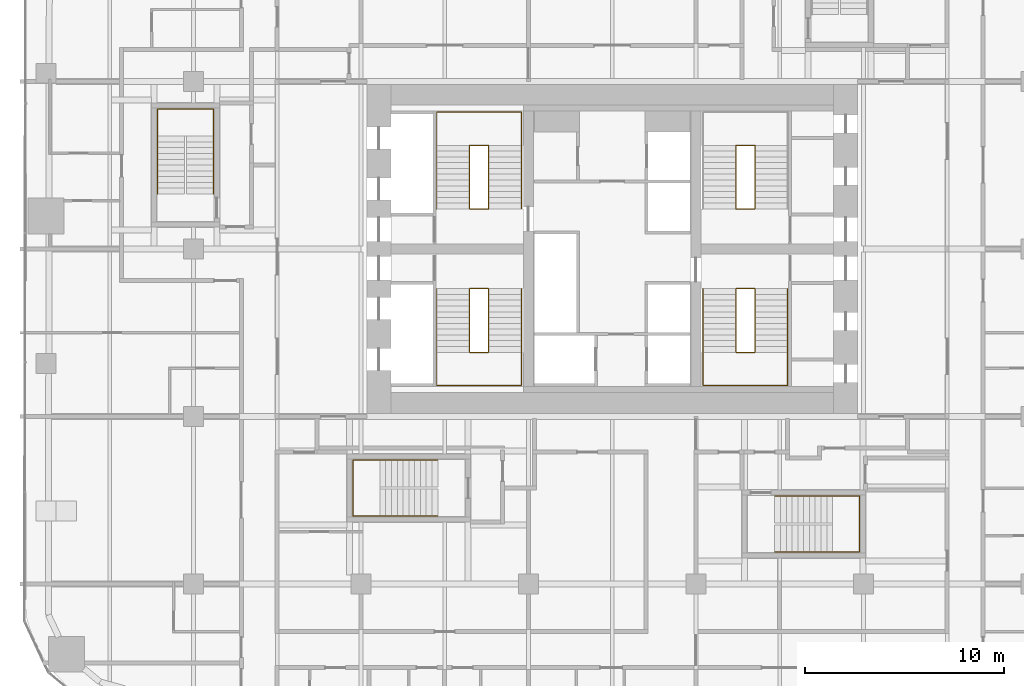
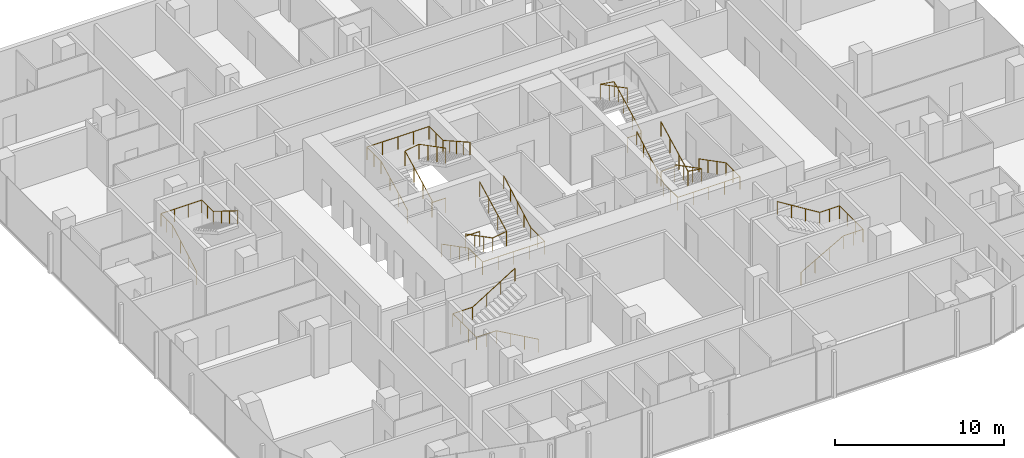
# One storey, part 26 of 27: 10 railings.
"""IFC4 building model written with IfcOpenShell, lengths in metres."""

from ifc_helpers import new_model, si_unit, direction, frame, origin, origin_2d, place, context, subcontext, project, spatial, circle, extrude, material, type_object, element, save


model = new_model("IFC4")

# Units and contexts
model_context = context("Model", 3, precision=1e-05, world=origin(), true_north=direction((0.0, 1.0)))
body_context = subcontext(model_context, "Body", "Model", "MODEL_VIEW")
ifc_project = project(units=[si_unit("LENGTHUNIT", "METRE"), si_unit("AREAUNIT", "SQUARE_METRE"), si_unit("VOLUMEUNIT", "CUBIC_METRE"), si_unit("PLANEANGLEUNIT", "RADIAN"), si_unit("MASSUNIT", "GRAM", prefix="KILO")], contexts=[model_context])

# Site, building, storey
site_placement = place(None, origin())
site = spatial("IfcSite", under=ifc_project, at=site_placement, CompositionType="ELEMENT")
building_placement = place(site_placement, origin())
building = spatial("IfcBuilding", under=site, at=building_placement, Name="Marenta Gate Hotel Tower", CompositionType="ELEMENT")
storey_placement = place(building_placement, frame((0.0, 0.0, 36.5)))
storey = spatial("IfcBuildingStorey", under=building, at=storey_placement, Name="L06", CompositionType="ELEMENT", Elevation=36.5)

# Railings
ifc_material_1 = material(Name="Stainless steel", Category="steel")
railing_type_1 = type_object("IfcRailingType", Name="Core stair handrail 950", PredefinedType="HANDRAIL", material=ifc_material_1)
railing_1_placement = place(storey_placement, frame((-8.800048828125, 6.39990234375, 0.14990234375)))
element("IfcRailing", 1, at=railing_1_placement, inside=storey, type_object=railing_type_1, Name="HR-950 L06-KR-ST1-1", PredefinedType="HANDRAIL", context=body_context, shape_type="SweptSolid", body=[
    extrude(circle(Radius=0.02392578125, at=origin_2d()), frame((0.0, 0.0, 0.92578125), z_axis=(0.0, -0.888197555067, 0.459461753765), x_axis=(1.0, 0.0, 0.0)), (0.0, 0.0, 1.0), 3.591552734375),
    extrude(circle(Radius=0.02392578125, at=origin_2d()), frame((0.0, -3.18994140625, 2.576171875), z_axis=(0.0, -1.0, 0.0), x_axis=(1.0, 0.0, 0.0)), (0.0, 0.0, 1.0), 1.659912109375),
    extrude(circle(Radius=0.02392578125, at=origin_2d()), frame((0.0, -4.849853515625, 2.576171875), z_axis=(1.0, 0.0, 0.0), x_axis=(0.0, 1.0, 0.0)), (0.0, 0.0, 1.0), 4.25),
    extrude(circle(Radius=0.02392578125, at=origin_2d()), frame((4.25, -4.849853515625, 2.576171875), z_axis=(0.0, 1.0, 0.0), x_axis=(-1.0, 0.0, 0.0)), (0.0, 0.0, 1.0), 1.659912109375),
    extrude(circle(Radius=0.02392578125, at=origin_2d()), frame((4.25, -3.18994140625, 2.576171875), z_axis=(0.0, 0.87090897868, 0.491444351738), x_axis=(-1.0, 0.0, 0.0)), (0.0, 0.0, 1.0), 3.662841796875),
    extrude(circle(Radius=0.02099609375, at=origin_2d()), origin(), (0.0, 0.0, 1.0), 0.90185546875),
    extrude(circle(Radius=0.02099609375, at=origin_2d()), frame((0.0, -1.063232421875, 0.550048828125)), (0.0, 0.0, 1.0), 0.90185546875),
    extrude(circle(Radius=0.02099609375, at=origin_2d()), frame((0.0, -2.126708984375, 1.10009765625)), (0.0, 0.0, 1.0), 0.90185546875),
    extrude(circle(Radius=0.02099609375, at=origin_2d()), frame((0.0, -3.18994140625, 1.650146484375)), (0.0, 0.0, 1.0), 0.90185546875),
    extrude(circle(Radius=0.02099609375, at=origin_2d()), frame((0.0, -4.02001953125, 1.650146484375)), (0.0, 0.0, 1.0), 0.90185546875),
    extrude(circle(Radius=0.02099609375, at=origin_2d()), frame((0.0, -4.849853515625, 1.650146484375)), (0.0, 0.0, 1.0), 0.90185546875),
    extrude(circle(Radius=0.02099609375, at=origin_2d()), frame((1.0625, -4.849853515625, 1.650146484375)), (0.0, 0.0, 1.0), 0.90185546875),
    extrude(circle(Radius=0.02099609375, at=origin_2d()), frame((2.125, -4.849853515625, 1.650146484375)), (0.0, 0.0, 1.0), 0.90185546875),
    extrude(circle(Radius=0.02099609375, at=origin_2d()), frame((3.1875, -4.849853515625, 1.650146484375)), (0.0, 0.0, 1.0), 0.90185546875),
    extrude(circle(Radius=0.02099609375, at=origin_2d()), frame((4.25, -4.849853515625, 1.650146484375)), (0.0, 0.0, 1.0), 0.90185546875),
    extrude(circle(Radius=0.02099609375, at=origin_2d()), frame((4.25, -4.02001953125, 1.650146484375)), (0.0, 0.0, 1.0), 0.90185546875),
    extrude(circle(Radius=0.02099609375, at=origin_2d()), frame((4.25, -3.18994140625, 1.650146484375)), (0.0, 0.0, 1.0), 0.90185546875),
    extrude(circle(Radius=0.02099609375, at=origin_2d()), frame((4.25, -2.392578125, 2.10009765625)), (0.0, 0.0, 1.0), 0.90185546875),
    extrude(circle(Radius=0.02099609375, at=origin_2d()), frame((4.25, -1.594970703125, 2.55029296875)), (0.0, 0.0, 1.0), 0.90185546875),
    extrude(circle(Radius=0.02099609375, at=origin_2d()), frame((4.25, -0.79736328125, 3.000244140625)), (0.0, 0.0, 1.0), 0.90185546875),
    extrude(circle(Radius=0.02099609375, at=origin_2d()), frame((4.25, 0.0, 3.4501953125)), (0.0, 0.0, 1.0), 0.90185546875),
])
railing_2_placement = place(storey_placement, frame((-8.800048828125, 10.39990234375, 0.14990234375)))
element("IfcRailing", 2, at=railing_2_placement, inside=storey, type_object=railing_type_1, Name="HR-950 L06-KR-ST2-1", PredefinedType="HANDRAIL", context=body_context, shape_type="SweptSolid", body=[
    extrude(circle(Radius=0.02392578125, at=origin_2d()), frame((0.0, 0.0, 0.92578125), z_axis=(0.0, 0.888211904222, 0.459434013977), x_axis=(-1.0, 0.0, 0.0)), (0.0, 0.0, 1.0), 3.591796875),
    extrude(circle(Radius=0.02392578125, at=origin_2d()), frame((0.0, 3.190185546875, 2.576171875), z_axis=(0.0, 1.0, 0.0), x_axis=(-1.0, 0.0, 0.0)), (0.0, 0.0, 1.0), 1.659912109375),
    extrude(circle(Radius=0.02392578125, at=origin_2d()), frame((0.0, 4.85009765625, 2.576171875), z_axis=(1.0, 0.0, 0.0), x_axis=(0.0, 1.0, 0.0)), (0.0, 0.0, 1.0), 4.25),
    extrude(circle(Radius=0.02392578125, at=origin_2d()), frame((4.25, 4.85009765625, 2.576171875), z_axis=(0.0, -1.0, 0.0), x_axis=(1.0, 0.0, 0.0)), (0.0, 0.0, 1.0), 1.659912109375),
    extrude(circle(Radius=0.02392578125, at=origin_2d()), frame((4.25, 3.190185546875, 2.576171875), z_axis=(0.0, -0.870925075533, 0.491415824742), x_axis=(1.0, 0.0, 0.0)), (0.0, 0.0, 1.0), 3.6630859375),
    extrude(circle(Radius=0.02099609375, at=origin_2d()), origin(), (0.0, 0.0, 1.0), 0.90185546875),
    extrude(circle(Radius=0.02099609375, at=origin_2d()), frame((0.0, 1.0634765625, 0.550048828125)), (0.0, 0.0, 1.0), 0.90185546875),
    extrude(circle(Radius=0.02099609375, at=origin_2d()), frame((0.0, 2.126708984375, 1.10009765625)), (0.0, 0.0, 1.0), 0.90185546875),
    extrude(circle(Radius=0.02099609375, at=origin_2d()), frame((0.0, 3.190185546875, 1.650146484375)), (0.0, 0.0, 1.0), 0.90185546875),
    extrude(circle(Radius=0.02099609375, at=origin_2d()), frame((0.0, 4.02001953125, 1.650146484375)), (0.0, 0.0, 1.0), 0.90185546875),
    extrude(circle(Radius=0.02099609375, at=origin_2d()), frame((0.0, 4.85009765625, 1.650146484375)), (0.0, 0.0, 1.0), 0.90185546875),
    extrude(circle(Radius=0.02099609375, at=origin_2d()), frame((1.0625, 4.85009765625, 1.650146484375)), (0.0, 0.0, 1.0), 0.90185546875),
    extrude(circle(Radius=0.02099609375, at=origin_2d()), frame((2.125, 4.85009765625, 1.650146484375)), (0.0, 0.0, 1.0), 0.90185546875),
    extrude(circle(Radius=0.02099609375, at=origin_2d()), frame((3.1875, 4.85009765625, 1.650146484375)), (0.0, 0.0, 1.0), 0.90185546875),
    extrude(circle(Radius=0.02099609375, at=origin_2d()), frame((4.25, 4.85009765625, 1.650146484375)), (0.0, 0.0, 1.0), 0.90185546875),
    extrude(circle(Radius=0.02099609375, at=origin_2d()), frame((4.25, 4.02001953125, 1.650146484375)), (0.0, 0.0, 1.0), 0.90185546875),
    extrude(circle(Radius=0.02099609375, at=origin_2d()), frame((4.25, 3.190185546875, 1.650146484375)), (0.0, 0.0, 1.0), 0.90185546875),
    extrude(circle(Radius=0.02099609375, at=origin_2d()), frame((4.25, 2.392578125, 2.10009765625)), (0.0, 0.0, 1.0), 0.90185546875),
    extrude(circle(Radius=0.02099609375, at=origin_2d()), frame((4.25, 1.59521484375, 2.55029296875)), (0.0, 0.0, 1.0), 0.90185546875),
    extrude(circle(Radius=0.02099609375, at=origin_2d()), frame((4.25, 0.797607421875, 3.000244140625)), (0.0, 0.0, 1.0), 0.90185546875),
    extrude(circle(Radius=0.02099609375, at=origin_2d()), frame((4.25, 0.0, 3.4501953125)), (0.0, 0.0, 1.0), 0.90185546875),
])
railing_3_placement = place(storey_placement, frame((8.800048828125, 6.39990234375, 0.14990234375)))
element("IfcRailing", 3, at=railing_3_placement, inside=storey, type_object=railing_type_1, Name="HR-950 L06-KR-ST3-1", PredefinedType="HANDRAIL", context=body_context, shape_type="SweptSolid", body=[
    extrude(circle(Radius=0.02392578125, at=origin_2d()), frame((0.0, 0.0, 0.92578125), z_axis=(0.0, -0.888197555067, 0.459461753765), x_axis=(1.0, 0.0, 0.0)), (0.0, 0.0, 1.0), 3.591552734375),
    extrude(circle(Radius=0.02392578125, at=origin_2d()), frame((0.0, -3.18994140625, 2.576171875), z_axis=(0.0, -1.0, 0.0), x_axis=(1.0, 0.0, 0.0)), (0.0, 0.0, 1.0), 1.659912109375),
    extrude(circle(Radius=0.02392578125, at=origin_2d()), frame((0.0, -4.849853515625, 2.576171875), z_axis=(-1.0, 0.0, 0.0), x_axis=(0.0, -1.0, 0.0)), (0.0, 0.0, 1.0), 4.25),
    extrude(circle(Radius=0.02392578125, at=origin_2d()), frame((-4.25, -4.849853515625, 2.576171875), z_axis=(0.0, 1.0, 0.0), x_axis=(-1.0, 0.0, 0.0)), (0.0, 0.0, 1.0), 1.659912109375),
    extrude(circle(Radius=0.02392578125, at=origin_2d()), frame((-4.25, -3.18994140625, 2.576171875), z_axis=(0.0, 0.87090897868, 0.491444351738), x_axis=(-1.0, 0.0, 0.0)), (0.0, 0.0, 1.0), 3.662841796875),
    extrude(circle(Radius=0.02099609375, at=origin_2d()), origin(), (0.0, 0.0, 1.0), 0.90185546875),
    extrude(circle(Radius=0.02099609375, at=origin_2d()), frame((0.0, -1.063232421875, 0.550048828125)), (0.0, 0.0, 1.0), 0.90185546875),
    extrude(circle(Radius=0.02099609375, at=origin_2d()), frame((0.0, -2.126708984375, 1.10009765625)), (0.0, 0.0, 1.0), 0.90185546875),
    extrude(circle(Radius=0.02099609375, at=origin_2d()), frame((0.0, -3.18994140625, 1.650146484375)), (0.0, 0.0, 1.0), 0.90185546875),
    extrude(circle(Radius=0.02099609375, at=origin_2d()), frame((0.0, -4.02001953125, 1.650146484375)), (0.0, 0.0, 1.0), 0.90185546875),
    extrude(circle(Radius=0.02099609375, at=origin_2d()), frame((0.0, -4.849853515625, 1.650146484375)), (0.0, 0.0, 1.0), 0.90185546875),
    extrude(circle(Radius=0.02099609375, at=origin_2d()), frame((-1.0625, -4.849853515625, 1.650146484375)), (0.0, 0.0, 1.0), 0.90185546875),
    extrude(circle(Radius=0.02099609375, at=origin_2d()), frame((-2.125, -4.849853515625, 1.650146484375)), (0.0, 0.0, 1.0), 0.90185546875),
    extrude(circle(Radius=0.02099609375, at=origin_2d()), frame((-3.1875, -4.849853515625, 1.650146484375)), (0.0, 0.0, 1.0), 0.90185546875),
    extrude(circle(Radius=0.02099609375, at=origin_2d()), frame((-4.25, -4.849853515625, 1.650146484375)), (0.0, 0.0, 1.0), 0.90185546875),
    extrude(circle(Radius=0.02099609375, at=origin_2d()), frame((-4.25, -4.02001953125, 1.650146484375)), (0.0, 0.0, 1.0), 0.90185546875),
    extrude(circle(Radius=0.02099609375, at=origin_2d()), frame((-4.25, -3.18994140625, 1.650146484375)), (0.0, 0.0, 1.0), 0.90185546875),
    extrude(circle(Radius=0.02099609375, at=origin_2d()), frame((-4.25, -2.392578125, 2.10009765625)), (0.0, 0.0, 1.0), 0.90185546875),
    extrude(circle(Radius=0.02099609375, at=origin_2d()), frame((-4.25, -1.594970703125, 2.55029296875)), (0.0, 0.0, 1.0), 0.90185546875),
    extrude(circle(Radius=0.02099609375, at=origin_2d()), frame((-4.25, -0.79736328125, 3.000244140625)), (0.0, 0.0, 1.0), 0.90185546875),
    extrude(circle(Radius=0.02099609375, at=origin_2d()), frame((-4.25, 0.0, 3.4501953125)), (0.0, 0.0, 1.0), 0.90185546875),
])
railing_4_placement = place(storey_placement, frame((8.14990234375, -6.800048828125, 0.16357421875)))
element("IfcRailing", 4, at=railing_4_placement, inside=storey, type_object=railing_type_1, Name="HR-950 L06-RS-Z1-1-KR-1", PredefinedType="HANDRAIL", context=body_context, shape_type="SweptSolid", body=[
    extrude(circle(Radius=0.02392578125, at=origin_2d()), frame((0.0, 0.0, 0.92578125), z_axis=(0.870914908162, 0.0, 0.491433843708), x_axis=(0.0, 1.0, 0.0)), (0.0, 0.0, 1.0), 3.330078125),
    extrude(circle(Radius=0.02392578125, at=origin_2d()), frame((2.900146484375, 0.0, 2.5625), z_axis=(1.0, 0.0, 0.0), x_axis=(0.0, 1.0, 0.0)), (0.0, 0.0, 1.0), 1.349853515625),
    extrude(circle(Radius=0.02392578125, at=origin_2d()), frame((4.25, 0.0, 2.5625), z_axis=(0.0, 1.0, 0.0), x_axis=(-1.0, 0.0, 0.0)), (0.0, 0.0, 1.0), 2.800048828125),
    extrude(circle(Radius=0.02392578125, at=origin_2d()), frame((4.25, 2.800048828125, 2.5625), z_axis=(-1.0, 0.0, 0.0), x_axis=(0.0, -1.0, 0.0)), (0.0, 0.0, 1.0), 1.349853515625),
    extrude(circle(Radius=0.02392578125, at=origin_2d()), frame((2.900146484375, 2.800048828125, 2.5625), z_axis=(-0.849645691689, 0.0, 0.527353959494), x_axis=(0.0, -1.0, 0.0)), (0.0, 0.0, 1.0), 3.413330078125),
    extrude(circle(Radius=0.02099609375, at=origin_2d()), origin(), (0.0, 0.0, 1.0), 0.90185546875),
    extrude(circle(Radius=0.02099609375, at=origin_2d()), frame((0.966796875, 0.0, 0.54541015625)), (0.0, 0.0, 1.0), 0.90185546875),
    extrude(circle(Radius=0.02099609375, at=origin_2d()), frame((1.933349609375, 0.0, 1.091064453125)), (0.0, 0.0, 1.0), 0.90185546875),
    extrude(circle(Radius=0.02099609375, at=origin_2d()), frame((2.900146484375, 0.0, 1.636474609375)), (0.0, 0.0, 1.0), 0.90185546875),
    extrude(circle(Radius=0.02099609375, at=origin_2d()), frame((3.5751953125, 0.0, 1.636474609375)), (0.0, 0.0, 1.0), 0.90185546875),
    extrude(circle(Radius=0.02099609375, at=origin_2d()), frame((4.25, 0.0, 1.636474609375)), (0.0, 0.0, 1.0), 0.90185546875),
    extrude(circle(Radius=0.02099609375, at=origin_2d()), frame((4.25, 0.933349609375, 1.636474609375)), (0.0, 0.0, 1.0), 0.90185546875),
    extrude(circle(Radius=0.02099609375, at=origin_2d()), frame((4.25, 1.86669921875, 1.636474609375)), (0.0, 0.0, 1.0), 0.90185546875),
    extrude(circle(Radius=0.02099609375, at=origin_2d()), frame((4.25, 2.800048828125, 1.636474609375)), (0.0, 0.0, 1.0), 0.90185546875),
    extrude(circle(Radius=0.02099609375, at=origin_2d()), frame((3.5751953125, 2.800048828125, 1.636474609375)), (0.0, 0.0, 1.0), 0.90185546875),
    extrude(circle(Radius=0.02099609375, at=origin_2d()), frame((2.900146484375, 2.800048828125, 1.636474609375)), (0.0, 0.0, 1.0), 0.90185546875),
    extrude(circle(Radius=0.02099609375, at=origin_2d()), frame((1.933349609375, 2.800048828125, 2.236572265625)), (0.0, 0.0, 1.0), 0.90185546875),
    extrude(circle(Radius=0.02099609375, at=origin_2d()), frame((0.966796875, 2.800048828125, 2.83642578125)), (0.0, 0.0, 1.0), 0.90185546875),
    extrude(circle(Radius=0.02099609375, at=origin_2d()), frame((0.0, 2.800048828125, 3.4365234375)), (0.0, 0.0, 1.0), 0.90185546875),
])
railing_5_placement = place(storey_placement, frame((-8.75, -5.0, 0.16357421875)))
element("IfcRailing", 5, at=railing_5_placement, inside=storey, type_object=railing_type_1, Name="HR-950 L06-RS-Z1-2-KR-1", PredefinedType="HANDRAIL", context=body_context, shape_type="SweptSolid", body=[
    extrude(circle(Radius=0.02392578125, at=origin_2d()), frame((0.0, 0.0, 0.92578125), z_axis=(-0.870897200241, 0.0, 0.491465224214), x_axis=(0.0, -1.0, 0.0)), (0.0, 0.0, 1.0), 3.329833984375),
    extrude(circle(Radius=0.02392578125, at=origin_2d()), frame((-2.89990234375, 0.0, 2.5625), z_axis=(-1.0, 0.0, 0.0), x_axis=(0.0, -1.0, 0.0)), (0.0, 0.0, 1.0), 1.35009765625),
    extrude(circle(Radius=0.02392578125, at=origin_2d()), frame((-4.25, 0.0, 2.5625), z_axis=(0.0, 1.0, 0.0), x_axis=(-1.0, 0.0, 0.0)), (0.0, 0.0, 1.0), 2.800048828125),
    extrude(circle(Radius=0.02392578125, at=origin_2d()), frame((-4.25, 2.800048828125, 2.5625), z_axis=(1.0, 0.0, 0.0), x_axis=(0.0, 1.0, 0.0)), (0.0, 0.0, 1.0), 1.35009765625),
    extrude(circle(Radius=0.02392578125, at=origin_2d()), frame((-2.89990234375, 2.800048828125, 2.5625), z_axis=(0.849625798611, 0.0, 0.527386008853), x_axis=(0.0, 1.0, 0.0)), (0.0, 0.0, 1.0), 3.4130859375),
    extrude(circle(Radius=0.02099609375, at=origin_2d()), origin(), (0.0, 0.0, 1.0), 0.90185546875),
    extrude(circle(Radius=0.02099609375, at=origin_2d()), frame((-0.966552734375, 0.0, 0.54541015625)), (0.0, 0.0, 1.0), 0.90185546875),
    extrude(circle(Radius=0.02099609375, at=origin_2d()), frame((-1.933349609375, 0.0, 1.091064453125)), (0.0, 0.0, 1.0), 0.90185546875),
    extrude(circle(Radius=0.02099609375, at=origin_2d()), frame((-2.89990234375, 0.0, 1.636474609375)), (0.0, 0.0, 1.0), 0.90185546875),
    extrude(circle(Radius=0.02099609375, at=origin_2d()), frame((-3.574951171875, 0.0, 1.636474609375)), (0.0, 0.0, 1.0), 0.90185546875),
    extrude(circle(Radius=0.02099609375, at=origin_2d()), frame((-4.25, 0.0, 1.636474609375)), (0.0, 0.0, 1.0), 0.90185546875),
    extrude(circle(Radius=0.02099609375, at=origin_2d()), frame((-4.25, 0.933349609375, 1.636474609375)), (0.0, 0.0, 1.0), 0.90185546875),
    extrude(circle(Radius=0.02099609375, at=origin_2d()), frame((-4.25, 1.86669921875, 1.636474609375)), (0.0, 0.0, 1.0), 0.90185546875),
    extrude(circle(Radius=0.02099609375, at=origin_2d()), frame((-4.25, 2.800048828125, 1.636474609375)), (0.0, 0.0, 1.0), 0.90185546875),
    extrude(circle(Radius=0.02099609375, at=origin_2d()), frame((-3.574951171875, 2.800048828125, 1.636474609375)), (0.0, 0.0, 1.0), 0.90185546875),
    extrude(circle(Radius=0.02099609375, at=origin_2d()), frame((-2.89990234375, 2.800048828125, 1.636474609375)), (0.0, 0.0, 1.0), 0.90185546875),
    extrude(circle(Radius=0.02099609375, at=origin_2d()), frame((-1.933349609375, 2.800048828125, 2.236572265625)), (0.0, 0.0, 1.0), 0.90185546875),
    extrude(circle(Radius=0.02099609375, at=origin_2d()), frame((-0.966552734375, 2.800048828125, 2.83642578125)), (0.0, 0.0, 1.0), 0.90185546875),
    extrude(circle(Radius=0.02099609375, at=origin_2d()), frame((0.0, 2.800048828125, 3.4365234375)), (0.0, 0.0, 1.0), 0.90185546875),
])
railing_6_placement = place(storey_placement, frame((-22.800048828125, 11.14990234375, 0.16357421875)))
element("IfcRailing", 6, at=railing_6_placement, inside=storey, type_object=railing_type_1, Name="HR-950 L06-RS-Z1-3-KR-1", PredefinedType="HANDRAIL", context=body_context, shape_type="SweptSolid", body=[
    extrude(circle(Radius=0.02392578125, at=origin_2d()), frame((0.0, 0.0, 0.92578125), z_axis=(0.0, 0.870914908162, 0.491433843708), x_axis=(-1.0, 0.0, 0.0)), (0.0, 0.0, 1.0), 3.330078125),
    extrude(circle(Radius=0.02392578125, at=origin_2d()), frame((0.0, 2.900146484375, 2.5625), z_axis=(0.0, 1.0, 0.0), x_axis=(-1.0, 0.0, 0.0)), (0.0, 0.0, 1.0), 1.349853515625),
    extrude(circle(Radius=0.02392578125, at=origin_2d()), frame((0.0, 4.25, 2.5625), z_axis=(1.0, 0.0, 0.0), x_axis=(0.0, 1.0, 0.0)), (0.0, 0.0, 1.0), 2.800048828125),
    extrude(circle(Radius=0.02392578125, at=origin_2d()), frame((2.800048828125, 4.25, 2.5625), z_axis=(0.0, -1.0, 0.0), x_axis=(1.0, 0.0, 0.0)), (0.0, 0.0, 1.0), 1.349853515625),
    extrude(circle(Radius=0.02392578125, at=origin_2d()), frame((2.800048828125, 2.900146484375, 2.5625), z_axis=(0.0, -0.849645691689, 0.527353959494), x_axis=(1.0, 0.0, 0.0)), (0.0, 0.0, 1.0), 3.413330078125),
    extrude(circle(Radius=0.02099609375, at=origin_2d()), origin(), (0.0, 0.0, 1.0), 0.90185546875),
    extrude(circle(Radius=0.02099609375, at=origin_2d()), frame((0.0, 0.966796875, 0.54541015625)), (0.0, 0.0, 1.0), 0.90185546875),
    extrude(circle(Radius=0.02099609375, at=origin_2d()), frame((0.0, 1.933349609375, 1.091064453125)), (0.0, 0.0, 1.0), 0.90185546875),
    extrude(circle(Radius=0.02099609375, at=origin_2d()), frame((0.0, 2.900146484375, 1.636474609375)), (0.0, 0.0, 1.0), 0.90185546875),
    extrude(circle(Radius=0.02099609375, at=origin_2d()), frame((0.0, 3.5751953125, 1.636474609375)), (0.0, 0.0, 1.0), 0.90185546875),
    extrude(circle(Radius=0.02099609375, at=origin_2d()), frame((0.0, 4.25, 1.636474609375)), (0.0, 0.0, 1.0), 0.90185546875),
    extrude(circle(Radius=0.02099609375, at=origin_2d()), frame((0.933349609375, 4.25, 1.636474609375)), (0.0, 0.0, 1.0), 0.90185546875),
    extrude(circle(Radius=0.02099609375, at=origin_2d()), frame((1.86669921875, 4.25, 1.636474609375)), (0.0, 0.0, 1.0), 0.90185546875),
    extrude(circle(Radius=0.02099609375, at=origin_2d()), frame((2.800048828125, 4.25, 1.636474609375)), (0.0, 0.0, 1.0), 0.90185546875),
    extrude(circle(Radius=0.02099609375, at=origin_2d()), frame((2.800048828125, 3.5751953125, 1.636474609375)), (0.0, 0.0, 1.0), 0.90185546875),
    extrude(circle(Radius=0.02099609375, at=origin_2d()), frame((2.800048828125, 2.900146484375, 1.636474609375)), (0.0, 0.0, 1.0), 0.90185546875),
    extrude(circle(Radius=0.02099609375, at=origin_2d()), frame((2.800048828125, 1.933349609375, 2.236572265625)), (0.0, 0.0, 1.0), 0.90185546875),
    extrude(circle(Radius=0.02099609375, at=origin_2d()), frame((2.800048828125, 0.966796875, 2.83642578125)), (0.0, 0.0, 1.0), 0.90185546875),
    extrude(circle(Radius=0.02099609375, at=origin_2d()), frame((2.800048828125, 0.0, 3.4365234375)), (0.0, 0.0, 1.0), 0.90185546875),
])
ifc_material_2 = material(Name="Stainless steel", Category="steel")
railing_type_2 = type_object("IfcRailingType", Name="Core stair well guard 1100", PredefinedType="GUARDRAIL", material=ifc_material_2)
railing_7_placement = place(storey_placement, frame((-6.199951171875, 6.39990234375, 0.0)))
element("IfcRailing", 7, at=railing_7_placement, inside=storey, type_object=railing_type_2, Name="GR-1100 L06-KR-ST1-2", PredefinedType="GUARDRAIL", context=body_context, shape_type="SweptSolid", body=[
    extrude(circle(Radius=0.02392578125, at=origin_2d()), frame((0.0, 0.0, 1.076171875), z_axis=(-1.0, 0.0, 0.0), x_axis=(0.0, -1.0, 0.0)), (0.0, 0.0, 1.0), 0.949951171875),
    extrude(circle(Radius=0.02392578125, at=origin_2d()), frame((-0.949951171875, 0.0, 1.076171875), z_axis=(0.0, 0.0, 1.0), x_axis=(1.0, 0.0, 0.0)), (0.0, 0.0, 1.0), 0.14990234375),
    extrude(circle(Radius=0.02392578125, at=origin_2d()), frame((-0.949951171875, 0.0, 1.22607421875), z_axis=(0.0, -0.888197555067, 0.459461753765), x_axis=(1.0, 0.0, 0.0)), (0.0, 0.0, 1.0), 3.591552734375),
    extrude(circle(Radius=0.02392578125, at=origin_2d()), frame((-0.949951171875, -3.18994140625, 2.8759765625), z_axis=(0.987777369502, 0.0, 0.15587131968), x_axis=(0.0, 1.0, 0.0)), (0.0, 0.0, 1.0), 0.961669921875),
    extrude(circle(Radius=0.02392578125, at=origin_2d()), frame((0.0, -3.18994140625, 3.02587890625), z_axis=(0.0, 0.888197555067, 0.459461753765), x_axis=(-1.0, 0.0, 0.0)), (0.0, 0.0, 1.0), 3.591552734375),
    extrude(circle(Radius=0.02099609375, at=origin_2d()), origin(), (0.0, 0.0, 1.0), 1.052001953125),
    extrude(circle(Radius=0.02099609375, at=origin_2d()), frame((-0.949951171875, 0.0, 0.0)), (0.0, 0.0, 1.0), 1.052001953125),
    extrude(circle(Radius=0.02099609375, at=origin_2d()), frame((-0.949951171875, 0.0, 0.14990234375)), (0.0, 0.0, 1.0), 1.052001953125),
    extrude(circle(Radius=0.02099609375, at=origin_2d()), frame((-0.949951171875, -1.063232421875, 0.699951171875)), (0.0, 0.0, 1.0), 1.052001953125),
    extrude(circle(Radius=0.02099609375, at=origin_2d()), frame((-0.949951171875, -2.126708984375, 1.25)), (0.0, 0.0, 1.0), 1.052001953125),
    extrude(circle(Radius=0.02099609375, at=origin_2d()), frame((-0.949951171875, -3.18994140625, 1.800048828125)), (0.0, 0.0, 1.0), 1.052001953125),
    extrude(circle(Radius=0.02099609375, at=origin_2d()), frame((0.0, -3.18994140625, 1.949951171875)), (0.0, 0.0, 1.0), 1.052001953125),
    extrude(circle(Radius=0.02099609375, at=origin_2d()), frame((0.0, -2.126708984375, 2.5)), (0.0, 0.0, 1.0), 1.052001953125),
    extrude(circle(Radius=0.02099609375, at=origin_2d()), frame((0.0, -1.063232421875, 3.050048828125)), (0.0, 0.0, 1.0), 1.052001953125),
    extrude(circle(Radius=0.02099609375, at=origin_2d()), frame((0.0, 0.0, 3.60009765625)), (0.0, 0.0, 1.0), 1.052001953125),
])
railing_8_placement = place(storey_placement, frame((-6.199951171875, 10.39990234375, 0.0)))
element("IfcRailing", 8, at=railing_8_placement, inside=storey, type_object=railing_type_2, Name="GR-1100 L06-KR-ST2-2", PredefinedType="GUARDRAIL", context=body_context, shape_type="SweptSolid", body=[
    extrude(circle(Radius=0.02392578125, at=origin_2d()), frame((0.0, 0.0, 1.076171875), z_axis=(-1.0, 0.0, 0.0), x_axis=(0.0, -1.0, 0.0)), (0.0, 0.0, 1.0), 0.949951171875),
    extrude(circle(Radius=0.02392578125, at=origin_2d()), frame((-0.949951171875, 0.0, 1.076171875), z_axis=(0.0, 0.0, 1.0), x_axis=(1.0, 0.0, 0.0)), (0.0, 0.0, 1.0), 0.14990234375),
    extrude(circle(Radius=0.02392578125, at=origin_2d()), frame((-0.949951171875, 0.0, 1.22607421875), z_axis=(0.0, 0.888211904222, 0.459434013977), x_axis=(-1.0, 0.0, 0.0)), (0.0, 0.0, 1.0), 3.591796875),
    extrude(circle(Radius=0.02392578125, at=origin_2d()), frame((-0.949951171875, 3.190185546875, 2.8759765625), z_axis=(0.987777369502, 0.0, 0.15587131968), x_axis=(0.0, 1.0, 0.0)), (0.0, 0.0, 1.0), 0.961669921875),
    extrude(circle(Radius=0.02392578125, at=origin_2d()), frame((0.0, 3.190185546875, 3.02587890625), z_axis=(0.0, -0.888211904222, 0.459434013977), x_axis=(1.0, 0.0, 0.0)), (0.0, 0.0, 1.0), 3.591796875),
    extrude(circle(Radius=0.02099609375, at=origin_2d()), origin(), (0.0, 0.0, 1.0), 1.052001953125),
    extrude(circle(Radius=0.02099609375, at=origin_2d()), frame((-0.949951171875, 0.0, 0.0)), (0.0, 0.0, 1.0), 1.052001953125),
    extrude(circle(Radius=0.02099609375, at=origin_2d()), frame((-0.949951171875, 0.0, 0.14990234375)), (0.0, 0.0, 1.0), 1.052001953125),
    extrude(circle(Radius=0.02099609375, at=origin_2d()), frame((-0.949951171875, 1.0634765625, 0.699951171875)), (0.0, 0.0, 1.0), 1.052001953125),
    extrude(circle(Radius=0.02099609375, at=origin_2d()), frame((-0.949951171875, 2.126708984375, 1.25)), (0.0, 0.0, 1.0), 1.052001953125),
    extrude(circle(Radius=0.02099609375, at=origin_2d()), frame((-0.949951171875, 3.190185546875, 1.800048828125)), (0.0, 0.0, 1.0), 1.052001953125),
    extrude(circle(Radius=0.02099609375, at=origin_2d()), frame((0.0, 3.190185546875, 1.949951171875)), (0.0, 0.0, 1.0), 1.052001953125),
    extrude(circle(Radius=0.02099609375, at=origin_2d()), frame((0.0, 2.126708984375, 2.5)), (0.0, 0.0, 1.0), 1.052001953125),
    extrude(circle(Radius=0.02099609375, at=origin_2d()), frame((0.0, 1.0634765625, 3.050048828125)), (0.0, 0.0, 1.0), 1.052001953125),
    extrude(circle(Radius=0.02099609375, at=origin_2d()), frame((0.0, 0.0, 3.60009765625)), (0.0, 0.0, 1.0), 1.052001953125),
])
railing_9_placement = place(storey_placement, frame((6.199951171875, 6.39990234375, 0.0)))
element("IfcRailing", 9, at=railing_9_placement, inside=storey, type_object=railing_type_2, Name="GR-1100 L06-KR-ST3-2", PredefinedType="GUARDRAIL", context=body_context, shape_type="SweptSolid", body=[
    extrude(circle(Radius=0.02392578125, at=origin_2d()), frame((0.0, 0.0, 1.076171875), z_axis=(1.0, 0.0, 0.0), x_axis=(0.0, 1.0, 0.0)), (0.0, 0.0, 1.0), 0.949951171875),
    extrude(circle(Radius=0.02392578125, at=origin_2d()), frame((0.949951171875, 0.0, 1.076171875), z_axis=(0.0, 0.0, 1.0), x_axis=(1.0, 0.0, 0.0)), (0.0, 0.0, 1.0), 0.14990234375),
    extrude(circle(Radius=0.02392578125, at=origin_2d()), frame((0.949951171875, 0.0, 1.22607421875), z_axis=(0.0, -0.888197555067, 0.459461753765), x_axis=(1.0, 0.0, 0.0)), (0.0, 0.0, 1.0), 3.591552734375),
    extrude(circle(Radius=0.02392578125, at=origin_2d()), frame((0.949951171875, -3.18994140625, 2.8759765625), z_axis=(-0.987777369502, 0.0, 0.15587131968), x_axis=(0.0, -1.0, 0.0)), (0.0, 0.0, 1.0), 0.961669921875),
    extrude(circle(Radius=0.02392578125, at=origin_2d()), frame((0.0, -3.18994140625, 3.02587890625), z_axis=(0.0, 0.888197555067, 0.459461753765), x_axis=(-1.0, 0.0, 0.0)), (0.0, 0.0, 1.0), 3.591552734375),
    extrude(circle(Radius=0.02099609375, at=origin_2d()), origin(), (0.0, 0.0, 1.0), 1.052001953125),
    extrude(circle(Radius=0.02099609375, at=origin_2d()), frame((0.949951171875, 0.0, 0.0)), (0.0, 0.0, 1.0), 1.052001953125),
    extrude(circle(Radius=0.02099609375, at=origin_2d()), frame((0.949951171875, 0.0, 0.14990234375)), (0.0, 0.0, 1.0), 1.052001953125),
    extrude(circle(Radius=0.02099609375, at=origin_2d()), frame((0.949951171875, -1.063232421875, 0.699951171875)), (0.0, 0.0, 1.0), 1.052001953125),
    extrude(circle(Radius=0.02099609375, at=origin_2d()), frame((0.949951171875, -2.126708984375, 1.25)), (0.0, 0.0, 1.0), 1.052001953125),
    extrude(circle(Radius=0.02099609375, at=origin_2d()), frame((0.949951171875, -3.18994140625, 1.800048828125)), (0.0, 0.0, 1.0), 1.052001953125),
    extrude(circle(Radius=0.02099609375, at=origin_2d()), frame((0.0, -3.18994140625, 1.949951171875)), (0.0, 0.0, 1.0), 1.052001953125),
    extrude(circle(Radius=0.02099609375, at=origin_2d()), frame((0.0, -2.126708984375, 2.5)), (0.0, 0.0, 1.0), 1.052001953125),
    extrude(circle(Radius=0.02099609375, at=origin_2d()), frame((0.0, -1.063232421875, 3.050048828125)), (0.0, 0.0, 1.0), 1.052001953125),
    extrude(circle(Radius=0.02099609375, at=origin_2d()), frame((0.0, 0.0, 3.60009765625)), (0.0, 0.0, 1.0), 1.052001953125),
])
railing_10_placement = place(storey_placement, frame((6.199951171875, 10.39990234375, 0.0)))
element("IfcRailing", 10, at=railing_10_placement, inside=storey, type_object=railing_type_2, Name="GR-1100 L06-KR-ST4-2", PredefinedType="GUARDRAIL", context=body_context, shape_type="SweptSolid", body=[
    extrude(circle(Radius=0.02392578125, at=origin_2d()), frame((0.0, 0.0, 1.076171875), z_axis=(1.0, 0.0, 0.0), x_axis=(0.0, 1.0, 0.0)), (0.0, 0.0, 1.0), 0.949951171875),
    extrude(circle(Radius=0.02392578125, at=origin_2d()), frame((0.949951171875, 0.0, 1.076171875), z_axis=(0.0, 0.0, 1.0), x_axis=(1.0, 0.0, 0.0)), (0.0, 0.0, 1.0), 0.14990234375),
    extrude(circle(Radius=0.02392578125, at=origin_2d()), frame((0.949951171875, 0.0, 1.22607421875), z_axis=(0.0, 0.888211904222, 0.459434013977), x_axis=(-1.0, 0.0, 0.0)), (0.0, 0.0, 1.0), 3.591796875),
    extrude(circle(Radius=0.02392578125, at=origin_2d()), frame((0.949951171875, 3.190185546875, 2.8759765625), z_axis=(-0.987777369502, 0.0, 0.15587131968), x_axis=(0.0, -1.0, 0.0)), (0.0, 0.0, 1.0), 0.961669921875),
    extrude(circle(Radius=0.02392578125, at=origin_2d()), frame((0.0, 3.190185546875, 3.02587890625), z_axis=(0.0, -0.888211904222, 0.459434013977), x_axis=(1.0, 0.0, 0.0)), (0.0, 0.0, 1.0), 3.591796875),
    extrude(circle(Radius=0.02099609375, at=origin_2d()), origin(), (0.0, 0.0, 1.0), 1.052001953125),
    extrude(circle(Radius=0.02099609375, at=origin_2d()), frame((0.949951171875, 0.0, 0.0)), (0.0, 0.0, 1.0), 1.052001953125),
    extrude(circle(Radius=0.02099609375, at=origin_2d()), frame((0.949951171875, 0.0, 0.14990234375)), (0.0, 0.0, 1.0), 1.052001953125),
    extrude(circle(Radius=0.02099609375, at=origin_2d()), frame((0.949951171875, 1.0634765625, 0.699951171875)), (0.0, 0.0, 1.0), 1.052001953125),
    extrude(circle(Radius=0.02099609375, at=origin_2d()), frame((0.949951171875, 2.126708984375, 1.25)), (0.0, 0.0, 1.0), 1.052001953125),
    extrude(circle(Radius=0.02099609375, at=origin_2d()), frame((0.949951171875, 3.190185546875, 1.800048828125)), (0.0, 0.0, 1.0), 1.052001953125),
    extrude(circle(Radius=0.02099609375, at=origin_2d()), frame((0.0, 3.190185546875, 1.949951171875)), (0.0, 0.0, 1.0), 1.052001953125),
    extrude(circle(Radius=0.02099609375, at=origin_2d()), frame((0.0, 2.126708984375, 2.5)), (0.0, 0.0, 1.0), 1.052001953125),
    extrude(circle(Radius=0.02099609375, at=origin_2d()), frame((0.0, 1.0634765625, 3.050048828125)), (0.0, 0.0, 1.0), 1.052001953125),
    extrude(circle(Radius=0.02099609375, at=origin_2d()), frame((0.0, 0.0, 3.60009765625)), (0.0, 0.0, 1.0), 1.052001953125),
])

save(model, "model.ifc")
